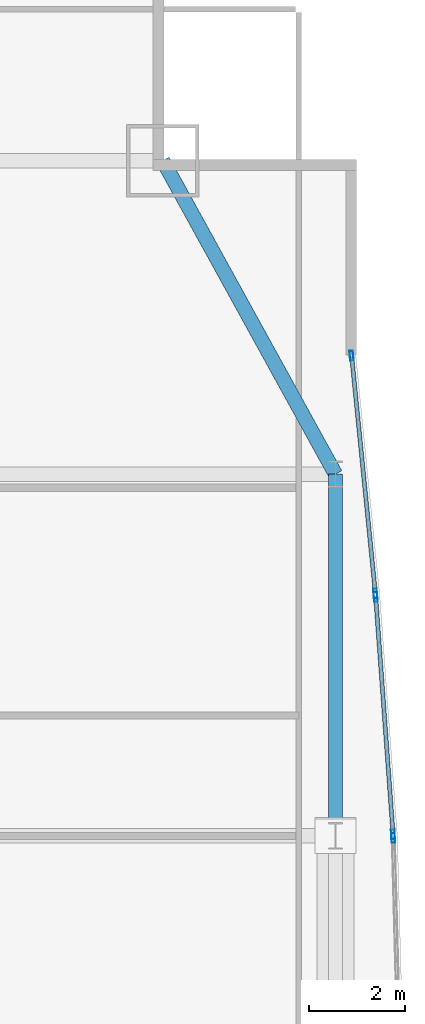
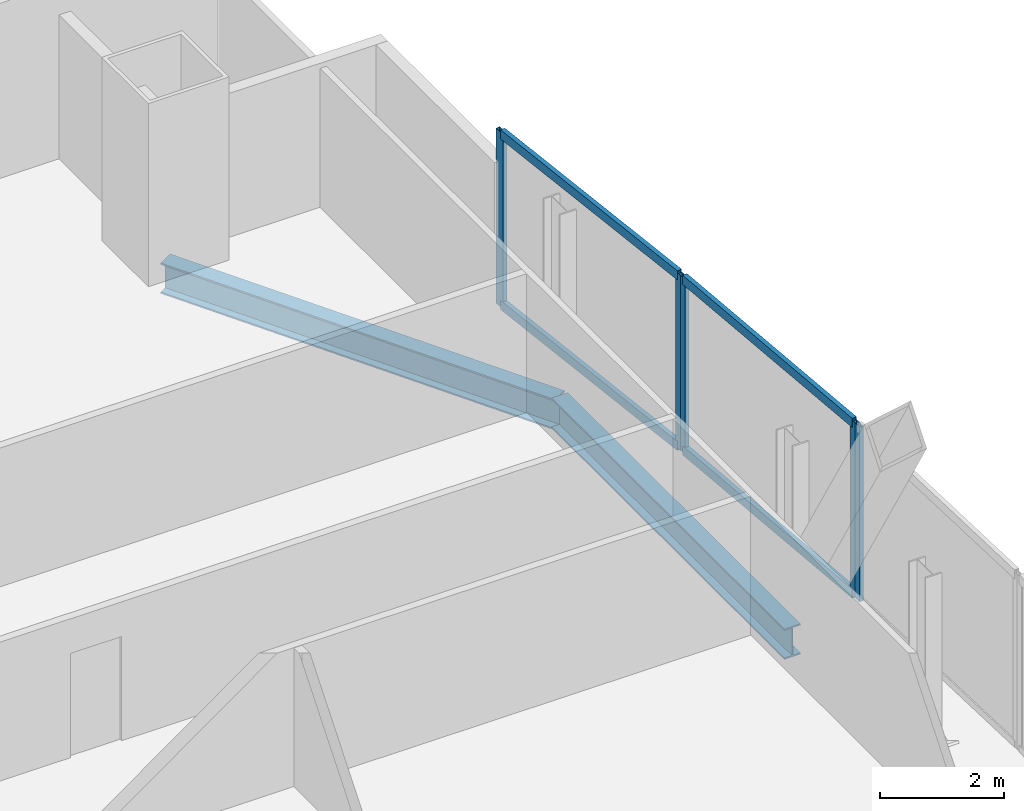
# One storey, part 23 of 31: 9 members, 2 beams, 3 elements without a shape of their own.
"""IFC4 building model written with IfcOpenShell, lengths in metres."""

from ifc_helpers import new_model, si_unit, direction, frame, origin, origin_2d, place, context, subcontext, project, spatial, hollow_rectangle, i_section, extrude, material, material_profile, profile_set, type_object, element, aggregate, save


model = new_model("IFC4")

# Units and contexts
model_context = context("Model", 3, precision=1e-05, world=origin(), true_north=direction((0.0, 1.0)))
body_context = subcontext(model_context, "Body", "Model", "MODEL_VIEW")
ifc_project = project(units=[si_unit("LENGTHUNIT", "METRE"), si_unit("AREAUNIT", "SQUARE_METRE"), si_unit("VOLUMEUNIT", "CUBIC_METRE"), si_unit("PLANEANGLEUNIT", "RADIAN"), si_unit("MASSUNIT", "GRAM", prefix="KILO")], contexts=[model_context])

# Site, building, storey
site_placement = place(None, origin())
site = spatial("IfcSite", under=ifc_project, at=site_placement, CompositionType="ELEMENT")
building_placement = place(site_placement, origin())
building = spatial("IfcBuilding", under=site, at=building_placement, Name="Khoronbel Lancet Exchange", CompositionType="ELEMENT")
storey_placement = place(building_placement, frame((0.0, 0.0, 129.0)))
storey = spatial("IfcBuildingStorey", under=building, at=storey_placement, Name="L31", CompositionType="ELEMENT", Elevation=129.0)

# Beams
ifc_material_1 = material(Name="Steel S355", Category="steel")
ifc_material_profile_1 = material_profile(ifc_material_1, i_section(OverallWidth=0.300048828125, OverallDepth=0.60009765625, WebThickness=0.015380859375, FlangeThickness=0.030029296875, at=origin_2d()), Name="HEB 600")
ifc_profile_set_1 = profile_set([ifc_material_profile_1], Name="Steel S355")
beam_type = type_object("IfcBeamType", Name="BM-BSP2", PredefinedType="SPANDREL", material=ifc_profile_set_1)
beam_1_placement = place(storey_placement, frame((69.6298828125, 35.699951171875, -0.4599609375), z_axis=(0.0, 1.0, 0.0), x_axis=(-1.0, 0.0, 0.0)))
element("IfcBeam", 1, at=beam_1_placement, inside=storey, type_object=beam_type, Name="Level L31 perimeter spandrel beam SP14", PredefinedType="SPANDREL", context=body_context, shape_type="SweptSolid", body=[
    extrude(i_section(OverallWidth=0.300048828125, OverallDepth=0.60009765625, WebThickness=0.015380859375, FlangeThickness=0.030029296875, at=origin_2d()), origin(), (0.0, 0.0, 1.0), 7.5),
])
beam_2_placement = place(storey_placement, frame((69.6298828125, 43.199951171875, -0.4599609375), z_axis=(-0.482418808117, 0.875940690672, 0.0), x_axis=(-0.875940690672, -0.482418808117, 0.0)))
element("IfcBeam", 2, at=beam_2_placement, inside=storey, type_object=beam_type, Name="Level L31 perimeter spandrel beam SP15", PredefinedType="SPANDREL", context=body_context, shape_type="SweptSolid", body=[
    extrude(i_section(OverallWidth=0.300048828125, OverallDepth=0.60009765625, WebThickness=0.015380859375, FlangeThickness=0.030029296875, at=origin_2d()), origin(), (0.0, 0.0, 1.0), 7.420654296875),
])

# Curtain wall, members
ifc_material_2 = material(Name="Low-E Solar Control Insulating Glass", Category="glass")
curtain_wall_type = type_object("IfcCurtainWallType", Name="CW-4", PredefinedType="NOTDEFINED", material=ifc_material_2)
curtain_wall_1_placement = place(storey_placement, origin())
curtain_wall_1 = element("IfcCurtainWall", 3, at=curtain_wall_1_placement, inside=storey, type_object=curtain_wall_type, Name="Unitised curtain wall CW-L31-E17", PredefinedType="NOTDEFINED")
ifc_material_3 = material(Name="Bronze-Anodised Aluminium 6063-T6", Category="aluminium")
ifc_material_profile_2 = material_profile(ifc_material_3, hollow_rectangle(XDim=0.074951171875, YDim=0.199951171875, WallThickness=0.0048828125, at=origin_2d()), Name="ALU MULLION 75x200")
ifc_profile_set_2 = profile_set([ifc_material_profile_2], Name="Bronze-Anodised Aluminium 6063-T6")
member_type_1 = type_object("IfcMemberType", Name="MEM-CWM2", PredefinedType="MULLION", material=ifc_profile_set_2)
member_1_placement = place(storey_placement, frame((69.963623046875, 45.658203125, 0.0), z_axis=(0.0, 0.0, 1.0), x_axis=(0.995037780914, 0.099497811805, 0.0)))
member_1 = element("IfcMember", 4, at=member_1_placement, type_object=member_type_1, Name="CW4 mullion 1", PredefinedType="MULLION", context=body_context, shape_type="SweptSolid", body=[
    extrude(hollow_rectangle(XDim=0.074951171875, YDim=0.199951171875, WallThickness=0.0048828125, at=origin_2d()), origin(), (0.0, 0.0, 1.0), 3.43994140625),
])
member_2_placement = place(storey_placement, frame((70.45654296875, 40.7294921875, 0.0), z_axis=(0.0, 0.0, 1.0), x_axis=(0.995037780914, 0.099497811805, 0.0)))
member_2 = element("IfcMember", 5, at=member_2_placement, type_object=member_type_1, Name="CW4 mullion 2", PredefinedType="MULLION", context=body_context, shape_type="SweptSolid", body=[
    extrude(hollow_rectangle(XDim=0.074951171875, YDim=0.199951171875, WallThickness=0.0048828125, at=origin_2d()), origin(), (0.0, 0.0, 1.0), 3.43994140625),
])

curtain_wall_2_placement = place(storey_placement, origin())
curtain_wall_2 = element("IfcCurtainWall", 6, at=curtain_wall_2_placement, inside=storey, type_object=curtain_wall_type, Name="Unitised curtain wall CW-L31-E18", PredefinedType="NOTDEFINED")
member_3_placement = place(storey_placement, frame((70.463134765625, 40.65478515625, 0.0), z_axis=(0.0, 0.0, 1.0), x_axis=(0.997330994662, 0.073012924107, 0.0)))
member_3 = element("IfcMember", 7, at=member_3_placement, type_object=member_type_1, Name="CW4 mullion 1", PredefinedType="MULLION", context=body_context, shape_type="SweptSolid", body=[
    extrude(hollow_rectangle(XDim=0.074951171875, YDim=0.199951171875, WallThickness=0.0048828125, at=origin_2d()), origin(), (0.0, 0.0, 1.0), 3.43994140625),
])
member_4_placement = place(storey_placement, frame((70.8232421875, 35.73291015625, 0.0), z_axis=(0.0, 0.0, 1.0), x_axis=(0.997330994662, 0.073012924107, 0.0)))
member_4 = element("IfcMember", 8, at=member_4_placement, type_object=member_type_1, Name="CW4 mullion 2", PredefinedType="MULLION", context=body_context, shape_type="SweptSolid", body=[
    extrude(hollow_rectangle(XDim=0.074951171875, YDim=0.199951171875, WallThickness=0.0048828125, at=origin_2d()), origin(), (0.0, 0.0, 1.0), 3.43994140625),
])

# Curtain wall, member
curtain_wall_3_placement = place(storey_placement, origin())
curtain_wall_3 = element("IfcCurtainWall", 9, at=curtain_wall_3_placement, inside=storey, type_object=curtain_wall_type, Name="Unitised curtain wall CW-L31-E19", PredefinedType="NOTDEFINED")
member_5_placement = place(storey_placement, frame((70.8271484375, 35.657958984375, 0.0), z_axis=(0.0, 0.0, 1.0), x_axis=(0.99964096293, 0.026794500031, 0.0)))
member_5 = element("IfcMember", 10, at=member_5_placement, type_object=member_type_1, Name="CW4 mullion 1", PredefinedType="MULLION", context=body_context, shape_type="SweptSolid", body=[
    extrude(hollow_rectangle(XDim=0.074951171875, YDim=0.199951171875, WallThickness=0.0048828125, at=origin_2d()), origin(), (0.0, 0.0, 1.0), 3.43994140625),
])
aggregate(curtain_wall_3, [member_5])

# Member
ifc_material_profile_3 = material_profile(ifc_material_3, hollow_rectangle(XDim=0.0849609375, YDim=0.179931640625, WallThickness=0.0048828125, at=origin_2d()), Name="ALU TRANSOM 85x180")
ifc_profile_set_3 = profile_set([ifc_material_profile_3], Name="Bronze-Anodised Aluminium 6063-T6")
member_type_2 = type_object("IfcMemberType", Name="MEM-CWT1", PredefinedType="USERDEFINED", material=ifc_profile_set_3)
member_6_placement = place(storey_placement, frame((69.967529296875, 45.620849609375, 0.04248046875), z_axis=(0.099493808682, -0.995038181194, 0.0), x_axis=(0.995038181194, 0.099493808682, 0.0)))
member_6 = element("IfcMember", 11, at=member_6_placement, type_object=member_type_2, Name="CW4 transom 1.1", ObjectType="TRANSOM", PredefinedType="USERDEFINED", context=body_context, shape_type="SweptSolid", body=[
    extrude(hollow_rectangle(XDim=0.0849609375, YDim=0.179931640625, WallThickness=0.0048828125, at=origin_2d()), origin(), (0.0, 0.0, 1.0), 4.878173828125),
])

member_7_placement = place(storey_placement, frame((69.967529296875, 45.620849609375, 3.3974609375), z_axis=(0.099493808682, -0.995038181194, 0.0), x_axis=(0.995038181194, 0.099493808682, 0.0)))
member_7 = element("IfcMember", 12, at=member_7_placement, type_object=member_type_2, Name="CW4 transom 1.2", ObjectType="TRANSOM", PredefinedType="USERDEFINED", context=body_context, shape_type="SweptSolid", body=[
    extrude(hollow_rectangle(XDim=0.0849609375, YDim=0.179931640625, WallThickness=0.0048828125, at=origin_2d()), origin(), (0.0, 0.0, 1.0), 4.878173828125),
])

aggregate(curtain_wall_1, [member_1, member_2, member_6, member_7])

member_8_placement = place(storey_placement, frame((70.4658203125, 40.617431640625, 0.04248046875), z_axis=(0.07298904377, -0.997332742614, 0.0), x_axis=(0.997332742614, 0.07298904377, 0.0)))
member_8 = element("IfcMember", 13, at=member_8_placement, type_object=member_type_2, Name="CW4 transom 1.1", ObjectType="TRANSOM", PredefinedType="USERDEFINED", context=body_context, shape_type="SweptSolid", body=[
    extrude(hollow_rectangle(XDim=0.0849609375, YDim=0.179931640625, WallThickness=0.0048828125, at=origin_2d()), origin(), (0.0, 0.0, 1.0), 4.860107421875),
])

member_9_placement = place(storey_placement, frame((70.4658203125, 40.617431640625, 3.3974609375), z_axis=(0.07298904377, -0.997332742614, 0.0), x_axis=(0.997332742614, 0.07298904377, 0.0)))
member_9 = element("IfcMember", 14, at=member_9_placement, type_object=member_type_2, Name="CW4 transom 1.2", ObjectType="TRANSOM", PredefinedType="USERDEFINED", context=body_context, shape_type="SweptSolid", body=[
    extrude(hollow_rectangle(XDim=0.0849609375, YDim=0.179931640625, WallThickness=0.0048828125, at=origin_2d()), origin(), (0.0, 0.0, 1.0), 4.860107421875),
])

aggregate(curtain_wall_2, [member_3, member_4, member_8, member_9])

save(model, "model.ifc")
